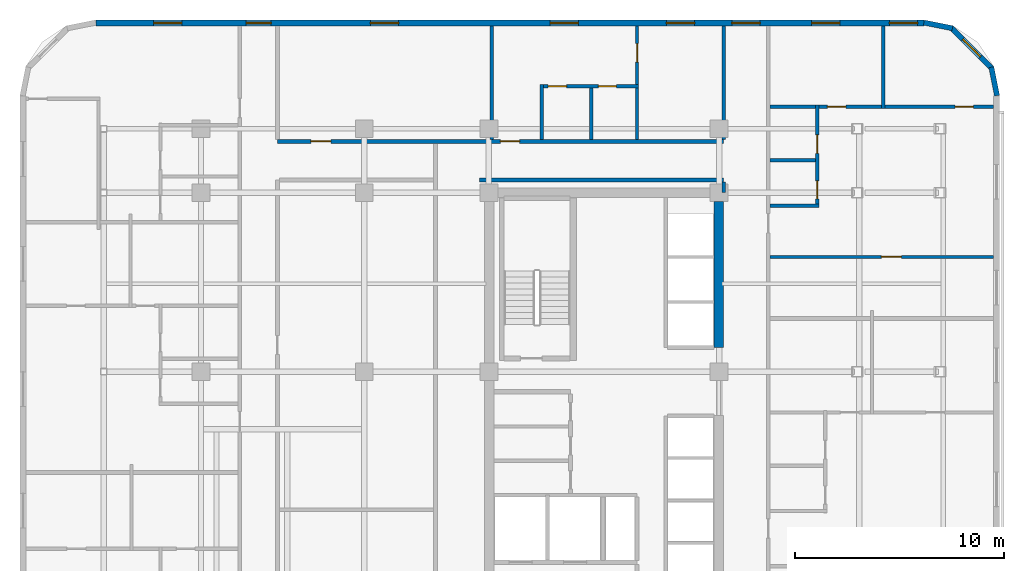
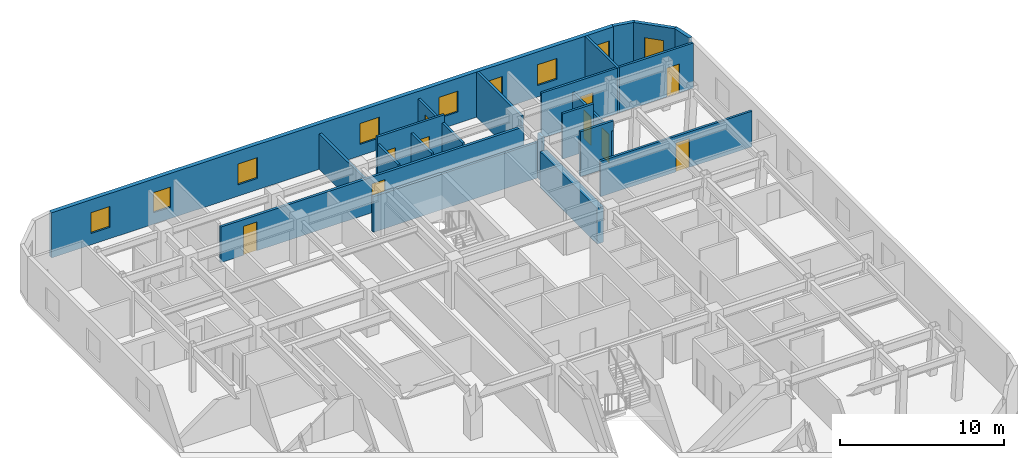
# One storey, part 10 of 14: 20 walls, 10 doors, 9 windows, 19 openings.
"""IFC4 building model written with IfcOpenShell, lengths in metres."""

import ifcopenshell
import ifcopenshell.guid

model = None  # the IFC model being written
_history = None  # IfcOwnerHistory: only IFC2X3 demands one
_inside = {}  # id of a spatial element -> (the spatial element, [elements in it])
_under = {}  # id of a project, library or spatial element -> (it, [spatial elements below it])
_declared = {}  # id of a project -> (the project, [libraries it declares])
_typed = {}  # id of a type object -> (the type object, [elements of that type])
_made_of = {}  # id of a material, layer set ... -> (it, [elements and type objects made of it])


def new_model(schema):
    """Start an empty IFC model of exactly this schema.

    Asked for "IFC4X3", IfcOpenShell would pick the latest addendum, in which some entities
    have other attributes; the version numbers below select the first issue.
    IFC2X3 requires an IfcOwnerHistory on every rooted entity: one is made here for all.
    """
    global model, _history
    if schema == "IFC4X3":
        model = ifcopenshell.file(schema_version=(4, 3, 0, 0))
    else:
        model = ifcopenshell.file(schema=schema)
    _inside.clear()
    _under.clear()
    _declared.clear()
    _typed.clear()
    _made_of.clear()
    _history = None
    if model.schema == "IFC2X3":
        org = make("IfcOrganization", Name="unknown")
        user = make(
            "IfcPersonAndOrganization",
            ThePerson=make("IfcPerson", FamilyName="unknown"),
            TheOrganization=org,
        )
        app = make(
            "IfcApplication",
            ApplicationDeveloper=org,
            Version="unknown",
            ApplicationFullName="unknown",
            ApplicationIdentifier="unknown",
        )
        _history = make(
            "IfcOwnerHistory",
            OwningUser=user,
            OwningApplication=app,
            ChangeAction="ADDED",
            CreationDate=0,
        )
    return model


def make(cls, **values):
    """One entity of the class cls with the attributes given. An attribute that is None is left unset."""
    return model.create_entity(
        cls, **{name: value for name, value in values.items() if value is not None}
    )


def rooted(cls, **values):
    """An entity with a GlobalId (a new one), such as an element, a storey or a relation."""
    return make(cls, GlobalId=ifcopenshell.guid.new(), OwnerHistory=_history, **values)


def si_unit(unit_type, name, prefix=None):
    """IfcSIUnit, for example si_unit("LENGTHUNIT", "METRE", prefix="MILLI")."""
    return make("IfcSIUnit", UnitType=unit_type, Prefix=prefix, Name=name)


def assignment(units):
    """IfcUnitAssignment: the units of a project."""
    return None if units is None else make("IfcUnitAssignment", Units=units)


def point(xyz):
    """IfcCartesianPoint."""
    return None if xyz is None else make("IfcCartesianPoint", Coordinates=xyz)


def direction(xyz):
    """IfcDirection."""
    return None if xyz is None else make("IfcDirection", DirectionRatios=xyz)


def frame(location, z_axis=None, x_axis=None):
    """IfcAxis2Placement3D, a coordinate frame: its origin and axes. An axis left out is left unset."""
    return make(
        "IfcAxis2Placement3D",
        Location=point(location),
        Axis=direction(z_axis),
        RefDirection=direction(x_axis),
    )


def frame_2d(location, x_axis=None):
    """IfcAxis2Placement2D, a coordinate frame in the plane: its origin and x axis."""
    return make(
        "IfcAxis2Placement2D", Location=point(location), RefDirection=direction(x_axis)
    )


def origin():
    """The frame at (0, 0, 0) with its axes left unset."""
    return frame((0.0, 0.0, 0.0))


def place(relative_to, where):
    """IfcLocalPlacement: puts the frame where relative to a parent placement (None: the world)."""
    return make(
        "IfcLocalPlacement", PlacementRelTo=relative_to, RelativePlacement=where
    )


def context(
    kind, dimensions, precision=None, world=None, true_north=None, identifier=None
):
    """IfcGeometricRepresentationContext, for example the 3D "Model" context."""
    return make(
        "IfcGeometricRepresentationContext",
        ContextIdentifier=identifier,
        ContextType=kind,
        CoordinateSpaceDimension=dimensions,
        Precision=precision,
        WorldCoordinateSystem=world,
        TrueNorth=true_north,
    )


def subcontext(parent, identifier, kind, view, scale=None):
    """IfcGeometricRepresentationSubContext, for example "Body" below "Model"."""
    return make(
        "IfcGeometricRepresentationSubContext",
        ContextIdentifier=identifier,
        ContextType=kind,
        ParentContext=parent,
        TargetScale=scale,
        TargetView=view,
    )


def project(units=None, contexts=None):
    """IfcProject with its units and contexts."""
    return rooted(
        "IfcProject",
        Name="project",
        RepresentationContexts=contexts,
        UnitsInContext=assignment(units),
    )


def spatial(cls, under=None, at=None, **own):
    """A site, building, storey or space (cls), placed at a placement, below another one or the project."""
    s = rooted(cls, ObjectPlacement=at, **own)
    if under is not None:
        _under.setdefault(under.id(), (under, []))[1].append(s)
    return s


def profile(cls, at=None, kind="AREA", **sizes):
    """A parametric profile (cls). Its sizes go by their IFC names, for example OverallWidth=200.0."""
    return make(cls, ProfileType=kind, Position=at, **sizes)


def rectangle(**sizes):
    """IfcRectangleProfileDef."""
    return profile("IfcRectangleProfileDef", **sizes)


def extrude(swept, where, along, depth):
    """IfcExtrudedAreaSolid: the profile swept, set in the frame where, extruded along a direction by depth."""
    return make(
        "IfcExtrudedAreaSolid",
        SweptArea=swept,
        Position=where,
        ExtrudedDirection=direction(along),
        Depth=depth,
    )


def shape(context_of_items, identifier, shape_type, items):
    """IfcShapeRepresentation: the items that make up one representation, for example the "Body"."""
    return make(
        "IfcShapeRepresentation",
        ContextOfItems=context_of_items,
        RepresentationIdentifier=identifier,
        RepresentationType=shape_type,
        Items=items,
    )


def material(Name=None, Category=None):
    """IfcMaterial."""
    return make("IfcMaterial", Name=Name, Category=Category)


def layer(
    of_material, thickness, ventilated=None, Name=None, Category=None, Priority=None
):
    """IfcMaterialLayer: one layer of a wall or slab, of a material (None: an air gap)."""
    return make(
        "IfcMaterialLayer",
        Material=of_material,
        LayerThickness=thickness,
        IsVentilated=ventilated,
        Name=Name,
        Category=Category,
        Priority=Priority,
    )


def layer_set(layers, Name=None):
    """IfcMaterialLayerSet."""
    return make("IfcMaterialLayerSet", MaterialLayers=layers, LayerSetName=Name)


def made_of(thing, what):
    """Note that an element or type object is made of a material, layer set ...; save() writes the relation."""
    if what is not None:
        _made_of.setdefault(what.id(), (what, []))[1].append(thing)
    return thing


def type_object(cls, material=None, **own):
    """A type object (cls), such as IfcWallType, which elements share."""
    return made_of(rooted(cls, **own), material)


def element(
    cls,
    number,
    at=None,
    inside=None,
    cuts=None,
    type_object=None,
    material=None,
    context=None,
    identifier="Body",
    shape_type=None,
    held_by="IfcProductDefinitionShape",
    body=None,
    shapes=None,
    **own,
):
    """One element of the class cls, such as IfcWall. Its Tag is "e" and its number.

    at: its placement. inside: the storey or other place that contains it. cuts: it is an
    opening in that element (IfcRelVoidsElement). A single representation is given by context,
    identifier, shape_type and body (its items); several are given by shapes. held_by: the class
    of the entity that holds the representations. save() writes the other relations.
    """
    e = rooted(cls, Tag="e%d" % number, ObjectPlacement=at, **own)
    if body is not None:
        shapes = [shape(context, identifier, shape_type, body)]
    if shapes is not None:
        e.Representation = make(held_by, Representations=shapes)
    if inside is not None:
        _inside.setdefault(inside.id(), (inside, []))[1].append(e)
    if cuts is not None:
        rooted(
            "IfcRelVoidsElement", RelatingBuildingElement=cuts, RelatedOpeningElement=e
        )
    if type_object is not None:
        _typed.setdefault(type_object.id(), (type_object, []))[1].append(e)
    return made_of(e, material)


def fill(opening, filler):
    """IfcRelFillsElement: the door or window that sits in an opening."""
    return rooted(
        "IfcRelFillsElement",
        RelatingOpeningElement=opening,
        RelatedBuildingElement=filler,
    )


def aggregate(whole, parts):
    """IfcRelAggregates: a whole, such as a stair, and the parts it consists of."""
    return rooted("IfcRelAggregates", RelatingObject=whole, RelatedObjects=parts)


def save(model, path):
    """Write the relations noted so far, then the file.

    IfcRelAggregates (storeys below a building ...), IfcRelContainedInSpatialStructure (elements
    in a storey), IfcRelDefinesByType, IfcRelAssociatesMaterial and IfcRelDeclares: one each for
    every whole, place, type object, material and project.
    """
    for whole, parts in _under.values():
        aggregate(whole, parts)
    for where, things in _inside.values():
        rooted(
            "IfcRelContainedInSpatialStructure",
            RelatedElements=things,
            RelatingStructure=where,
        )
    for kind, things in _typed.values():
        rooted("IfcRelDefinesByType", RelatedObjects=things, RelatingType=kind)
    for what, things in _made_of.values():
        rooted("IfcRelAssociatesMaterial", RelatedObjects=things, RelatingMaterial=what)
    for by, libraries in _declared.values():
        rooted("IfcRelDeclares", RelatingContext=by, RelatedDefinitions=libraries)
    model.write(path)


model = new_model("IFC4")

# Units and contexts
model_context = context("Model", 3, precision=1e-05, world=origin(), true_north=direction((0.0, 1.0)))
body_context = subcontext(model_context, "Body", "Model", "MODEL_VIEW")
ifc_project = project(units=[si_unit("LENGTHUNIT", "METRE"), si_unit("AREAUNIT", "SQUARE_METRE"), si_unit("VOLUMEUNIT", "CUBIC_METRE"), si_unit("PLANEANGLEUNIT", "RADIAN"), si_unit("MASSUNIT", "GRAM", prefix="KILO")], contexts=[model_context])

# Site, building, storey
site_placement = place(None, origin())
site = spatial("IfcSite", under=ifc_project, at=site_placement, CompositionType="ELEMENT")
building_placement = place(site_placement, origin())
building = spatial("IfcBuilding", under=site, at=building_placement, Name="Ochreholt Gables", CompositionType="ELEMENT")
storey_placement = place(building_placement, frame((0.0, 0.0, 52.800048828125)))
storey = spatial("IfcBuildingStorey", under=building, at=storey_placement, Name="L13", CompositionType="ELEMENT", Elevation=52.800048828125)

# Wall
ifc_material_1 = material(Name="Concrete 60 MPa", Category="concrete")
ifc_layer_1 = layer(ifc_material_1, 0.449951171875, Name="Concrete 60 MPa")
ifc_layer_set_1 = layer_set([ifc_layer_1], Name="Concrete 60 MPa")
wall_type_1 = type_object("IfcWallType", Name="WALL-CSW-450", PredefinedType="SHEAR", material=ifc_layer_set_1)
wall_1_placement = place(storey_placement, frame((35.175048828125, 31.35009765625, 0.0), z_axis=(0.0, 0.0, 1.0), x_axis=(0.0, 1.0, 0.0)))
element("IfcWall", 1, at=wall_1_placement, inside=storey, type_object=wall_type_1, Name="L13 Core North-East Shear Wall", PredefinedType="SHEAR", context=body_context, shape_type="SweptSolid", body=[
    extrude(rectangle(XDim=6.974853515625, YDim=0.449951171875, at=frame_2d((3.4873046875, 0.0))), origin(), (0.0, 0.0, 1.0), 2.6669921875),
])

# Wall, openings, windows
ifc_material_2 = material(Name="Precast concrete 40 MPa", Category="concrete")
ifc_layer_2 = layer(ifc_material_2, 0.2900390625, Name="Precast concrete 40 MPa")
ifc_layer_set_2 = layer_set([ifc_layer_2], Name="Precast concrete 40 MPa")
wall_type_2 = type_object("IfcWallType", Name="WALL-EXT-290", PredefinedType="SOLIDWALL", material=ifc_layer_set_2)
wall_2_placement = place(storey_placement, frame((44.97998046875, 46.85498046875, 0.0), z_axis=(0.0, 0.0, 1.0), x_axis=(-1.0, 0.0, 0.0)))
wall_2 = element("IfcWall", 2, at=wall_2_placement, inside=storey, type_object=wall_type_2, Name="L13 North Exterior Wall", PredefinedType="SOLIDWALL", context=body_context, shape_type="SweptSolid", body=[
    extrude(rectangle(XDim=39.56005859375, YDim=0.2900390625, at=frame_2d((19.780029296875, 0.0))), origin(), (0.0, 0.0, 1.0), 3.35986328125),
])
opening_1_placement = place(wall_2_placement, frame((35.445068359375, 0.0, 0.85009765625)))
opening_1 = element("IfcOpeningElement", 3, at=opening_1_placement, cuts=wall_2, Name="Opening WN-8", PredefinedType="OPENING", context=body_context, shape_type="SweptSolid", body=[
    extrude(rectangle(XDim=1.35009765625, YDim=1.550048828125, at=frame_2d((0.675048828125, 0.77490234375))), frame((0.0, 0.155029296875, 0.0), z_axis=(0.0, -1.0, 0.0), x_axis=(1.0, 0.0, 0.0)), (0.0, 0.0, 1.0), 0.31005859375),
])
opening_2_placement = place(wall_2_placement, frame((31.179931640625, 0.0, 0.85009765625)))
opening_2 = element("IfcOpeningElement", 4, at=opening_2_placement, cuts=wall_2, Name="Opening WN-3", PredefinedType="OPENING", context=body_context, shape_type="SweptSolid", body=[
    extrude(rectangle(XDim=1.199951171875, YDim=1.5, at=frame_2d((0.60009765625, 0.75))), frame((0.0, 0.155029296875, 0.0), z_axis=(0.0, -1.0, 0.0), x_axis=(1.0, 0.0, 0.0)), (0.0, 0.0, 1.0), 0.31005859375),
])
opening_3_placement = place(wall_2_placement, frame((25.088134765625, 0.0, 0.85009765625)))
opening_3 = element("IfcOpeningElement", 5, at=opening_3_placement, cuts=wall_2, Name="Opening WN-8", PredefinedType="OPENING", context=body_context, shape_type="SweptSolid", body=[
    extrude(rectangle(XDim=1.35009765625, YDim=1.550048828125, at=frame_2d((0.675048828125, 0.77490234375))), frame((0.0, 0.155029296875, 0.0), z_axis=(0.0, -1.0, 0.0), x_axis=(1.0, 0.0, 0.0)), (0.0, 0.0, 1.0), 0.31005859375),
])
opening_4_placement = place(wall_2_placement, frame((16.498291015625, 0.0, 0.85009765625)))
opening_4 = element("IfcOpeningElement", 6, at=opening_4_placement, cuts=wall_2, Name="Opening WN-8", PredefinedType="OPENING", context=body_context, shape_type="SweptSolid", body=[
    extrude(rectangle(XDim=1.35009765625, YDim=1.550048828125, at=frame_2d((0.675048828125, 0.77490234375))), frame((0.0, 0.155029296875, 0.0), z_axis=(0.0, -1.0, 0.0), x_axis=(1.0, 0.0, 0.0)), (0.0, 0.0, 1.0), 0.31005859375),
])
opening_5_placement = place(wall_2_placement, frame((10.955078125, 0.0, 0.85009765625)))
opening_5 = element("IfcOpeningElement", 7, at=opening_5_placement, cuts=wall_2, Name="Opening WN-8", PredefinedType="OPENING", context=body_context, shape_type="SweptSolid", body=[
    extrude(rectangle(XDim=1.35009765625, YDim=1.550048828125, at=frame_2d((0.675048828125, 0.77490234375))), frame((0.0, 0.155029296875, 0.0), z_axis=(0.0, -1.0, 0.0), x_axis=(1.0, 0.0, 0.0)), (0.0, 0.0, 1.0), 0.31005859375),
])
opening_6_placement = place(wall_2_placement, frame((7.820068359375, 0.0, 0.85009765625)))
opening_6 = element("IfcOpeningElement", 8, at=opening_6_placement, cuts=wall_2, Name="Opening WN-8", PredefinedType="OPENING", context=body_context, shape_type="SweptSolid", body=[
    extrude(rectangle(XDim=1.35009765625, YDim=1.550048828125, at=frame_2d((0.675048828125, 0.77490234375))), frame((0.0, 0.155029296875, 0.0), z_axis=(0.0, -1.0, 0.0), x_axis=(1.0, 0.0, 0.0)), (0.0, 0.0, 1.0), 0.31005859375),
])
opening_7_placement = place(wall_2_placement, frame((4.007568359375, 0.0, 0.85009765625)))
opening_7 = element("IfcOpeningElement", 9, at=opening_7_placement, cuts=wall_2, Name="Opening WN-8", PredefinedType="OPENING", context=body_context, shape_type="SweptSolid", body=[
    extrude(rectangle(XDim=1.35009765625, YDim=1.550048828125, at=frame_2d((0.675048828125, 0.77490234375))), frame((0.0, 0.155029296875, 0.0), z_axis=(0.0, -1.0, 0.0), x_axis=(1.0, 0.0, 0.0)), (0.0, 0.0, 1.0), 0.31005859375),
])
opening_8_placement = place(wall_2_placement, frame((0.29248046875, 0.0, 0.85009765625)))
opening_8 = element("IfcOpeningElement", 10, at=opening_8_placement, cuts=wall_2, Name="Opening WN-8", PredefinedType="OPENING", context=body_context, shape_type="SweptSolid", body=[
    extrude(rectangle(XDim=1.35009765625, YDim=1.550048828125, at=frame_2d((0.675048828125, 0.77490234375))), frame((0.0, 0.155029296875, 0.0), z_axis=(0.0, -1.0, 0.0), x_axis=(1.0, 0.0, 0.0)), (0.0, 0.0, 1.0), 0.31005859375),
])
ifc_material_3 = material(Name="Triple-Glazed Thermally Broken Aluminium Window", Category="aluminium")
window_type_1 = type_object("IfcWindowType", Name="WIN-RES-1200", PartitioningType="SINGLE_PANEL", PredefinedType="WINDOW", material=ifc_material_3)
window_1_placement = place(opening_2_placement, origin())
window_1 = element("IfcWindow", 11, at=window_1_placement, inside=storey, type_object=window_type_1, Name="L13 Window W-EXT-N-L13-2", OverallHeight=1.5, OverallWidth=1.199951171875, PartitioningType="SINGLE_PANEL", PredefinedType="WINDOW", context=body_context, shape_type="SweptSolid", body=[
    extrude(rectangle(XDim=1.199951171875, YDim=1.5, at=frame_2d((0.60009765625, 0.75))), frame((0.0, 0.030029296875, 0.0), z_axis=(0.0, -1.0, 0.0), x_axis=(1.0, 0.0, 0.0)), (0.0, 0.0, 1.0), 0.06005859375),
])
fill(opening_2, window_1)
window_type_2 = type_object("IfcWindowType", Name="WIN-RES-1350", PartitioningType="SINGLE_PANEL", PredefinedType="WINDOW", material=ifc_material_3)
window_2_placement = place(opening_1_placement, origin())
window_2 = element("IfcWindow", 12, at=window_2_placement, inside=storey, type_object=window_type_2, Name="L13 Window W-EXT-N-L13-1", OverallHeight=1.550048828125, OverallWidth=1.35009765625, PartitioningType="SINGLE_PANEL", PredefinedType="WINDOW", context=body_context, shape_type="SweptSolid", body=[
    extrude(rectangle(XDim=1.35009765625, YDim=1.550048828125, at=frame_2d((0.675048828125, 0.77490234375))), frame((0.0, 0.030029296875, 0.0), z_axis=(0.0, -1.0, 0.0), x_axis=(1.0, 0.0, 0.0)), (0.0, 0.0, 1.0), 0.06005859375),
])
fill(opening_1, window_2)
window_3_placement = place(opening_3_placement, origin())
window_3 = element("IfcWindow", 13, at=window_3_placement, inside=storey, type_object=window_type_2, Name="L13 Window W-EXT-N-L13-3", OverallHeight=1.550048828125, OverallWidth=1.35009765625, PartitioningType="SINGLE_PANEL", PredefinedType="WINDOW", context=body_context, shape_type="SweptSolid", body=[
    extrude(rectangle(XDim=1.35009765625, YDim=1.550048828125, at=frame_2d((0.675048828125, 0.77490234375))), frame((0.0, 0.030029296875, 0.0), z_axis=(0.0, -1.0, 0.0), x_axis=(1.0, 0.0, 0.0)), (0.0, 0.0, 1.0), 0.06005859375),
])
fill(opening_3, window_3)
window_4_placement = place(opening_4_placement, origin())
window_4 = element("IfcWindow", 14, at=window_4_placement, inside=storey, type_object=window_type_2, Name="L13 Window W-EXT-N-L13-4", OverallHeight=1.550048828125, OverallWidth=1.35009765625, PartitioningType="SINGLE_PANEL", PredefinedType="WINDOW", context=body_context, shape_type="SweptSolid", body=[
    extrude(rectangle(XDim=1.35009765625, YDim=1.550048828125, at=frame_2d((0.675048828125, 0.77490234375))), frame((0.0, 0.030029296875, 0.0), z_axis=(0.0, -1.0, 0.0), x_axis=(1.0, 0.0, 0.0)), (0.0, 0.0, 1.0), 0.06005859375),
])
fill(opening_4, window_4)
window_5_placement = place(opening_5_placement, origin())
window_5 = element("IfcWindow", 15, at=window_5_placement, inside=storey, type_object=window_type_2, Name="L13 Window W-EXT-N-L13-5", OverallHeight=1.550048828125, OverallWidth=1.35009765625, PartitioningType="SINGLE_PANEL", PredefinedType="WINDOW", context=body_context, shape_type="SweptSolid", body=[
    extrude(rectangle(XDim=1.35009765625, YDim=1.550048828125, at=frame_2d((0.675048828125, 0.77490234375))), frame((0.0, 0.030029296875, 0.0), z_axis=(0.0, -1.0, 0.0), x_axis=(1.0, 0.0, 0.0)), (0.0, 0.0, 1.0), 0.06005859375),
])
fill(opening_5, window_5)
window_6_placement = place(opening_6_placement, origin())
window_6 = element("IfcWindow", 16, at=window_6_placement, inside=storey, type_object=window_type_2, Name="L13 Window W-EXT-N-L13-6", OverallHeight=1.550048828125, OverallWidth=1.35009765625, PartitioningType="SINGLE_PANEL", PredefinedType="WINDOW", context=body_context, shape_type="SweptSolid", body=[
    extrude(rectangle(XDim=1.35009765625, YDim=1.550048828125, at=frame_2d((0.675048828125, 0.77490234375))), frame((0.0, 0.030029296875, 0.0), z_axis=(0.0, -1.0, 0.0), x_axis=(1.0, 0.0, 0.0)), (0.0, 0.0, 1.0), 0.06005859375),
])
fill(opening_6, window_6)
window_7_placement = place(opening_7_placement, origin())
window_7 = element("IfcWindow", 17, at=window_7_placement, inside=storey, type_object=window_type_2, Name="L13 Window W-EXT-N-L13-7", OverallHeight=1.550048828125, OverallWidth=1.35009765625, PartitioningType="SINGLE_PANEL", PredefinedType="WINDOW", context=body_context, shape_type="SweptSolid", body=[
    extrude(rectangle(XDim=1.35009765625, YDim=1.550048828125, at=frame_2d((0.675048828125, 0.77490234375))), frame((0.0, 0.030029296875, 0.0), z_axis=(0.0, -1.0, 0.0), x_axis=(1.0, 0.0, 0.0)), (0.0, 0.0, 1.0), 0.06005859375),
])
fill(opening_7, window_7)
window_8_placement = place(opening_8_placement, origin())
window_8 = element("IfcWindow", 18, at=window_8_placement, inside=storey, type_object=window_type_2, Name="L13 Window W-EXT-N-L13-8", OverallHeight=1.550048828125, OverallWidth=1.35009765625, PartitioningType="SINGLE_PANEL", PredefinedType="WINDOW", context=body_context, shape_type="SweptSolid", body=[
    extrude(rectangle(XDim=1.35009765625, YDim=1.550048828125, at=frame_2d((0.675048828125, 0.77490234375))), frame((0.0, 0.030029296875, 0.0), z_axis=(0.0, -1.0, 0.0), x_axis=(1.0, 0.0, 0.0)), (0.0, 0.0, 1.0), 0.06005859375),
])
fill(opening_8, window_8)

# Wall
ifc_layer_3 = layer(ifc_material_2, 0.25, Name="Precast concrete 40 MPa")
ifc_layer_set_3 = layer_set([ifc_layer_3], Name="Precast concrete 40 MPa")
wall_type_3 = type_object("IfcWallType", Name="WALL-EXT-CNR", PredefinedType="SOLIDWALL", material=ifc_layer_set_3)
wall_3_placement = place(storey_placement, frame((48.475830078125, 43.383544921875, 0.0), z_axis=(0.0, 0.0, 1.0), x_axis=(-0.19496651342, 0.980809899341, 0.0)))
element("IfcWall", 19, at=wall_3_placement, inside=storey, type_object=wall_type_3, Name="L13 Rounded Corner Wall NE-1", PredefinedType="SOLIDWALL", context=body_context, shape_type="SweptSolid", body=[
    extrude(rectangle(XDim=1.388671875, YDim=0.25, at=frame_2d((0.6943359375, 0.0))), origin(), (0.0, 0.0, 1.0), 3.35986328125),
])

# Wall, opening, window
wall_4_placement = place(storey_placement, frame((48.23193359375, 44.695068359375, 0.0), z_axis=(0.0, 0.0, 1.0), x_axis=(-0.707106781187, 0.707106781187, 0.0)))
wall_4 = element("IfcWall", 20, at=wall_4_placement, inside=storey, type_object=wall_type_3, Name="L13 Rounded Corner Wall NE-2", PredefinedType="SOLIDWALL", context=body_context, shape_type="SweptSolid", body=[
    extrude(rectangle(XDim=2.7392578125, YDim=0.25, at=frame_2d((1.36962890625, 0.0))), origin(), (0.0, 0.0, 1.0), 3.35986328125),
])
opening_9_placement = place(wall_4_placement, frame((0.769775390625, 0.0, 0.85009765625)))
opening_9 = element("IfcOpeningElement", 21, at=opening_9_placement, cuts=wall_4, Name="Opening WN-3", PredefinedType="OPENING", context=body_context, shape_type="SweptSolid", body=[
    extrude(rectangle(XDim=1.199951171875, YDim=1.5, at=frame_2d((0.60009765625, 0.75))), frame((0.0, 0.135009765625, 0.0), z_axis=(0.0, -1.0, 0.0), x_axis=(1.0, 0.0, 0.0)), (0.0, 0.0, 1.0), 0.27001953125),
])
window_9_placement = place(opening_9_placement, origin())
window_9 = element("IfcWindow", 22, at=window_9_placement, inside=storey, type_object=window_type_1, Name="L13 Corner Bedroom Window NE", OverallHeight=1.5, OverallWidth=1.199951171875, PartitioningType="SINGLE_PANEL", PredefinedType="WINDOW", context=body_context, shape_type="SweptSolid", body=[
    extrude(rectangle(XDim=1.199951171875, YDim=1.5, at=frame_2d((0.60009765625, 0.75))), frame((0.0, 0.030029296875, 0.0), z_axis=(0.0, -1.0, 0.0), x_axis=(1.0, 0.0, 0.0)), (0.0, 0.0, 1.0), 0.06005859375),
])
fill(opening_9, window_9)

# Wall
wall_5_placement = place(storey_placement, frame((46.345458984375, 46.60498046875, 0.0), z_axis=(0.0, 0.0, 1.0), x_axis=(-0.980809899341, 0.19496651342, 0.0)))
element("IfcWall", 23, at=wall_5_placement, inside=storey, type_object=wall_type_3, Name="L13 Rounded Corner Wall NE-3", PredefinedType="SOLIDWALL", context=body_context, shape_type="SweptSolid", body=[
    extrude(rectangle(XDim=1.388671875, YDim=0.25, at=frame_2d((0.6943359375, 0.0))), origin(), (0.0, 0.0, 1.0), 3.35986328125),
])

# Wall, openings, doors
ifc_material_4 = material(Name="Fire-Rated Gypsum Acoustic Partition", Category="gypsum")
ifc_layer_4 = layer(ifc_material_4, 0.179931640625, Name="Fire-Rated Gypsum Acoustic Partition")
ifc_layer_set_4 = layer_set([ifc_layer_4], Name="Fire-Rated Gypsum Acoustic Partition")
wall_type_4 = type_object("IfcWallType", Name="WALL-INT-CR180", PredefinedType="STANDARD", material=ifc_layer_set_4)
wall_6_placement = place(storey_placement, frame((14.10009765625, 41.199951171875, 0.0), z_axis=(0.0, 0.0, 1.0), x_axis=(1.0, 0.0, 0.0)))
wall_6 = element("IfcWall", 24, at=wall_6_placement, inside=storey, type_object=wall_type_4, Name="L13 Interior Wall WI-C1N-L13", PredefinedType="STANDARD", context=body_context, shape_type="SweptSolid", body=[
    extrude(rectangle(XDim=21.31982421875, YDim=0.179931640625, at=frame_2d((10.659912109375, 0.0))), origin(), (0.0, 0.0, 1.0), 2.64892578125),
])
opening_10_placement = place(wall_6_placement, frame((1.60009765625, 0.0, 0.0)))
opening_10 = element("IfcOpeningElement", 25, at=opening_10_placement, cuts=wall_6, Name="Opening D-GN1", PredefinedType="OPENING", context=body_context, shape_type="SweptSolid", body=[
    extrude(rectangle(XDim=0.949951171875, YDim=2.14990234375, at=frame_2d((0.47509765625, 1.074951171875))), frame((0.0, 0.099853515625, 0.0), z_axis=(0.0, -1.0, 0.0), x_axis=(1.0, 0.0, 0.0)), (0.0, 0.0, 1.0), 0.199951171875),
])
opening_11_placement = place(wall_6_placement, frame((10.6435546875, 0.0, 0.0)))
opening_11 = element("IfcOpeningElement", 26, at=opening_11_placement, cuts=wall_6, Name="Opening D-UN1", PredefinedType="OPENING", context=body_context, shape_type="SweptSolid", body=[
    extrude(rectangle(XDim=0.919921875, YDim=2.14990234375, at=frame_2d((0.4599609375, 1.074951171875))), frame((0.0, 0.099853515625, 0.0), z_axis=(0.0, -1.0, 0.0), x_axis=(1.0, 0.0, 0.0)), (0.0, 0.0, 1.0), 0.199951171875),
])
ifc_material_5 = material(Name="Engineered Oak Timber", Category="wood")
door_type_1 = type_object("IfcDoorType", Name="DR-INT-GEN950", OperationType="NOTDEFINED", PredefinedType="DOOR", material=ifc_material_5)
door_1_placement = place(opening_10_placement, origin())
door_1 = element("IfcDoor", 27, at=door_1_placement, inside=storey, type_object=door_type_1, Name="L13 Door D-C1NL-L13", OperationType="SINGLE_SWING_RIGHT", OverallHeight=2.14990234375, OverallWidth=0.949951171875, PredefinedType="DOOR", context=body_context, shape_type="SweptSolid", body=[
    extrude(rectangle(XDim=0.949951171875, YDim=2.14990234375, at=frame_2d((0.47509765625, 1.074951171875))), frame((0.0, 0.02490234375, 0.0), z_axis=(0.0, -1.0, 0.0), x_axis=(1.0, 0.0, 0.0)), (0.0, 0.0, 1.0), 0.050048828125),
])
fill(opening_10, door_1)
door_type_2 = type_object("IfcDoorType", Name="DR-INT-UNT920", OperationType="NOTDEFINED", PredefinedType="DOOR", material=ifc_material_5)
door_2_placement = place(opening_11_placement, origin())
door_2 = element("IfcDoor", 28, at=door_2_placement, inside=storey, type_object=door_type_2, Name="L13 Door D-U-L13N1-ENT", OperationType="SINGLE_SWING_RIGHT", OverallHeight=2.14990234375, OverallWidth=0.919921875, PredefinedType="DOOR", context=body_context, shape_type="SweptSolid", body=[
    extrude(rectangle(XDim=0.919921875, YDim=2.14990234375, at=frame_2d((0.4599609375, 1.074951171875))), frame((0.0, 0.02490234375, 0.0), z_axis=(0.0, -1.0, 0.0), x_axis=(1.0, 0.0, 0.0)), (0.0, 0.0, 1.0), 0.050048828125),
])
fill(opening_11, door_2)

# Walls
wall_7_placement = place(storey_placement, frame((23.75, 39.35009765625, 0.0), z_axis=(0.0, 0.0, 1.0), x_axis=(1.0, 0.0, 0.0)))
element("IfcWall", 29, at=wall_7_placement, inside=storey, type_object=wall_type_4, Name="L13 Interior Wall WI-C1N2-L13", PredefinedType="STANDARD", context=body_context, shape_type="SweptSolid", body=[
    extrude(rectangle(XDim=11.669921875, YDim=0.179931640625, at=frame_2d((5.8349609375, 0.0))), origin(), (0.0, 0.0, 1.0), 2.64892578125),
])
wall_8_placement = place(storey_placement, frame((35.419921875, 38.75, 0.0), z_axis=(0.0, 0.0, 1.0), x_axis=(0.0, 1.0, 0.0)))
element("IfcWall", 30, at=wall_8_placement, inside=storey, type_object=wall_type_4, Name="L13 Interior Wall WI-C1ENW2-L13", PredefinedType="STANDARD", context=body_context, shape_type="SweptSolid", body=[
    extrude(rectangle(XDim=0.510009765625, YDim=0.179931640625, at=frame_2d((0.2548828125, 0.0))), origin(), (0.0, 0.0, 1.0), 3.35986328125),
])
ifc_material_6 = material(Name="Double-Stud Acoustic Demising Wall", Category="gypsum")
ifc_layer_5 = layer(ifc_material_6, 0.179931640625, Name="Double-Stud Acoustic Demising Wall")
ifc_layer_set_5 = layer_set([ifc_layer_5], Name="Double-Stud Acoustic Demising Wall")
wall_type_5 = type_object("IfcWallType", Name="WALL-INT-DM180", PredefinedType="PARTITIONING", material=ifc_layer_set_5)
wall_9_placement = place(storey_placement, frame((35.419921875, 41.2900390625, 0.0), z_axis=(0.0, 0.0, 1.0), x_axis=(0.0, 1.0, 0.0)))
element("IfcWall", 31, at=wall_9_placement, inside=storey, type_object=wall_type_5, Name="L13 Interior Wall WI-C1ENW-L13", PredefinedType="PARTITIONING", context=body_context, shape_type="SweptSolid", body=[
    extrude(rectangle(XDim=5.419921875, YDim=0.179931640625, at=frame_2d((2.7099609375, 0.0))), origin(), (0.0, 0.0, 1.0), 3.35986328125),
])
wall_10_placement = place(storey_placement, frame((24.33349609375, 41.2900390625, 0.0), z_axis=(0.0, 0.0, 1.0), x_axis=(0.0, 1.0, 0.0)))
element("IfcWall", 32, at=wall_10_placement, inside=storey, type_object=wall_type_5, Name="L13 Interior Wall WI-UDN1-L13", PredefinedType="PARTITIONING", context=body_context, shape_type="SweptSolid", body=[
    extrude(rectangle(XDim=5.419921875, YDim=0.179931640625, at=frame_2d((2.7099609375, 0.0))), origin(), (0.0, 0.0, 1.0), 2.64892578125),
])
ifc_material_7 = material(Name="Moisture-Resistant Plumbing Chase Wall", Category="gypsum")
ifc_layer_6 = layer(ifc_material_7, 0.159912109375, Name="Moisture-Resistant Plumbing Chase Wall")
ifc_layer_set_6 = layer_set([ifc_layer_6], Name="Moisture-Resistant Plumbing Chase Wall")
wall_type_6 = type_object("IfcWallType", Name="WALL-INT-PL160", PredefinedType="PLUMBINGWALL", material=ifc_layer_set_6)
wall_11_placement = place(storey_placement, frame((37.639892578125, 38.12451171875, 0.0), z_axis=(0.0, 0.0, 1.0), x_axis=(1.0, 0.0, 0.0)))
element("IfcWall", 33, at=wall_11_placement, inside=storey, type_object=wall_type_6, Name="L13 Interior Wall WU-L13E3-FYS", PredefinedType="PLUMBINGWALL", context=body_context, shape_type="SweptSolid", body=[
    extrude(rectangle(XDim=2.330078125, YDim=0.159912109375, at=frame_2d((1.1650390625, 0.0))), origin(), (0.0, 0.0, 1.0), 3.35986328125),
])

# Wall, openings, doors
wall_12_placement = place(storey_placement, frame((39.889892578125, 38.034423828125, 0.0), z_axis=(0.0, 0.0, 1.0), x_axis=(0.0, 1.0, 0.0)))
wall_12 = element("IfcWall", 34, at=wall_12_placement, inside=storey, type_object=wall_type_6, Name="L13 Interior Wall WU-L13E3-WX", PredefinedType="PLUMBINGWALL", context=body_context, shape_type="SweptSolid", body=[
    extrude(rectangle(XDim=4.91552734375, YDim=0.159912109375, at=frame_2d((2.457763671875, 0.0))), origin(), (0.0, 0.0, 1.0), 2.64892578125),
])
opening_12_placement = place(wall_12_placement, frame((0.419921875, 0.0, 0.0)))
opening_12 = element("IfcOpeningElement", 35, at=opening_12_placement, cuts=wall_12, Name="Opening D-BT1", PredefinedType="OPENING", context=body_context, shape_type="SweptSolid", body=[
    extrude(rectangle(XDim=0.860107421875, YDim=2.1201171875, at=frame_2d((0.43017578125, 1.06005859375))), frame((0.0, 0.08984375, 0.0), z_axis=(0.0, -1.0, 0.0), x_axis=(1.0, 0.0, 0.0)), (0.0, 0.0, 1.0), 0.179931640625),
])
opening_13_placement = place(wall_12_placement, frame((2.598388671875, 0.0, 0.0)))
opening_13 = element("IfcOpeningElement", 36, at=opening_13_placement, cuts=wall_12, Name="Opening D-GN2", PredefinedType="OPENING", context=body_context, shape_type="SweptSolid", body=[
    extrude(rectangle(XDim=0.8798828125, YDim=2.1201171875, at=frame_2d((0.43994140625, 1.06005859375))), frame((0.0, 0.08984375, 0.0), z_axis=(0.0, -1.0, 0.0), x_axis=(1.0, 0.0, 0.0)), (0.0, 0.0, 1.0), 0.179931640625),
])
door_type_3 = type_object("IfcDoorType", Name="DR-INT-BTH860", OperationType="NOTDEFINED", PredefinedType="DOOR", material=ifc_material_5)
door_3_placement = place(opening_12_placement, origin())
door_3 = element("IfcDoor", 37, at=door_3_placement, inside=storey, type_object=door_type_3, Name="L13 Door D-U-L13E3-BTH", OperationType="SINGLE_SWING_LEFT", OverallHeight=2.1201171875, OverallWidth=0.860107421875, PredefinedType="DOOR", context=body_context, shape_type="SweptSolid", body=[
    extrude(rectangle(XDim=0.860107421875, YDim=2.1201171875, at=frame_2d((0.43017578125, 1.06005859375))), frame((0.0, 0.02490234375, 0.0), z_axis=(0.0, -1.0, 0.0), x_axis=(1.0, 0.0, 0.0)), (0.0, 0.0, 1.0), 0.050048828125),
])
fill(opening_12, door_3)
door_type_4 = type_object("IfcDoorType", Name="DR-INT-GEN880", OperationType="NOTDEFINED", PredefinedType="DOOR", material=ifc_material_5)
door_4_placement = place(opening_13_placement, origin())
door_4 = element("IfcDoor", 38, at=door_4_placement, inside=storey, type_object=door_type_4, Name="L13 Door D-U-L13E3-KIT", OperationType="SINGLE_SWING_RIGHT", OverallHeight=2.1201171875, OverallWidth=0.8798828125, PredefinedType="DOOR", context=body_context, shape_type="SweptSolid", body=[
    extrude(rectangle(XDim=0.8798828125, YDim=2.1201171875, at=frame_2d((0.43994140625, 1.06005859375))), frame((0.0, 0.02490234375, 0.0), z_axis=(0.0, -1.0, 0.0), x_axis=(1.0, 0.0, 0.0)), (0.0, 0.0, 1.0), 0.050048828125),
])
fill(opening_13, door_4)

# Wall
wall_13_placement = place(storey_placement, frame((37.639892578125, 40.302734375, 0.0), z_axis=(0.0, 0.0, 1.0), x_axis=(1.0, 0.0, 0.0)))
element("IfcWall", 39, at=wall_13_placement, inside=storey, type_object=wall_type_6, Name="L13 Interior Wall WU-L13E3-WK", PredefinedType="PLUMBINGWALL", context=body_context, shape_type="SweptSolid", body=[
    extrude(rectangle(XDim=2.170166015625, YDim=0.159912109375, at=frame_2d((1.0849609375, 0.0))), origin(), (0.0, 0.0, 1.0), 3.35986328125),
])

# Wall, openings, doors
wall_14_placement = place(storey_placement, frame((26.64990234375, 43.8349609375, 0.0), z_axis=(0.0, 0.0, 1.0), x_axis=(1.0, 0.0, 0.0)))
wall_14 = element("IfcWall", 40, at=wall_14_placement, inside=storey, type_object=wall_type_6, Name="L13 Interior Wall WU-L13N1-WY", PredefinedType="PLUMBINGWALL", context=body_context, shape_type="SweptSolid", body=[
    extrude(rectangle(XDim=4.710205078125, YDim=0.159912109375, at=frame_2d((2.35498046875, 0.0))), origin(), (0.0, 0.0, 1.0), 3.35986328125),
])
opening_14_placement = place(wall_14_placement, frame((0.3798828125, 0.0, 0.0)))
opening_14 = element("IfcOpeningElement", 41, at=opening_14_placement, cuts=wall_14, Name="Opening D-GN2", PredefinedType="OPENING", context=body_context, shape_type="SweptSolid", body=[
    extrude(rectangle(XDim=0.8798828125, YDim=2.1201171875, at=frame_2d((0.43994140625, 1.06005859375))), frame((0.0, 0.08984375, 0.0), z_axis=(0.0, -1.0, 0.0), x_axis=(1.0, 0.0, 0.0)), (0.0, 0.0, 1.0), 0.179931640625),
])
opening_15_placement = place(wall_14_placement, frame((2.785888671875, 0.0, 0.0)))
opening_15 = element("IfcOpeningElement", 42, at=opening_15_placement, cuts=wall_14, Name="Opening D-BT1", PredefinedType="OPENING", context=body_context, shape_type="SweptSolid", body=[
    extrude(rectangle(XDim=0.860107421875, YDim=2.1201171875, at=frame_2d((0.43017578125, 1.06005859375))), frame((0.0, 0.08984375, 0.0), z_axis=(0.0, -1.0, 0.0), x_axis=(1.0, 0.0, 0.0)), (0.0, 0.0, 1.0), 0.179931640625),
])
door_5_placement = place(opening_15_placement, origin())
door_5 = element("IfcDoor", 43, at=door_5_placement, inside=storey, type_object=door_type_3, Name="L13 Door D-U-L13N1-BTH", OperationType="SINGLE_SWING_RIGHT", OverallHeight=2.1201171875, OverallWidth=0.860107421875, PredefinedType="DOOR", context=body_context, shape_type="SweptSolid", body=[
    extrude(rectangle(XDim=0.860107421875, YDim=2.1201171875, at=frame_2d((0.43017578125, 1.06005859375))), frame((0.0, 0.02490234375, 0.0), z_axis=(0.0, -1.0, 0.0), x_axis=(1.0, 0.0, 0.0)), (0.0, 0.0, 1.0), 0.050048828125),
])
fill(opening_15, door_5)
door_6_placement = place(opening_14_placement, origin())
door_6 = element("IfcDoor", 44, at=door_6_placement, inside=storey, type_object=door_type_4, Name="L13 Door D-U-L13N1-KIT", OperationType="SINGLE_SWING_LEFT", OverallHeight=2.1201171875, OverallWidth=0.8798828125, PredefinedType="DOOR", context=body_context, shape_type="SweptSolid", body=[
    extrude(rectangle(XDim=0.8798828125, YDim=2.1201171875, at=frame_2d((0.43994140625, 1.06005859375))), frame((0.0, 0.02490234375, 0.0), z_axis=(0.0, -1.0, 0.0), x_axis=(1.0, 0.0, 0.0)), (0.0, 0.0, 1.0), 0.050048828125),
])
fill(opening_14, door_6)

# Walls
wall_15_placement = place(storey_placement, frame((26.72998046875, 41.2900390625, 0.0), z_axis=(0.0, 0.0, 1.0), x_axis=(0.0, 1.0, 0.0)))
element("IfcWall", 45, at=wall_15_placement, inside=storey, type_object=wall_type_6, Name="L13 Interior Wall WU-L13N1-FY", PredefinedType="PLUMBINGWALL", context=body_context, shape_type="SweptSolid", body=[
    extrude(rectangle(XDim=2.625, YDim=0.159912109375, at=frame_2d((1.3125, 0.0))), origin(), (0.0, 0.0, 1.0), 2.808837890625),
])
wall_16_placement = place(storey_placement, frame((29.095947265625, 41.2900390625, 0.0), z_axis=(0.0, 0.0, 1.0), x_axis=(0.0, 1.0, 0.0)))
element("IfcWall", 46, at=wall_16_placement, inside=storey, type_object=wall_type_6, Name="L13 Interior Wall WU-L13N1-WK", PredefinedType="PLUMBINGWALL", context=body_context, shape_type="SweptSolid", body=[
    extrude(rectangle(XDim=2.46484375, YDim=0.159912109375, at=frame_2d((1.232421875, 0.0))), origin(), (0.0, 0.0, 1.0), 2.808837890625),
])

# Wall, openings, doors
ifc_material_8 = material(Name="Gypsum Acoustic Stud Partition", Category="gypsum")
ifc_layer_7 = layer(ifc_material_8, 0.159912109375, Name="Gypsum Acoustic Stud Partition")
ifc_layer_set_7 = layer_set([ifc_layer_7], Name="Gypsum Acoustic Stud Partition")
wall_type_7 = type_object("IfcWallType", Name="WALL-INT-PT160", PredefinedType="PARTITIONING", material=ifc_layer_set_7)
wall_17_placement = place(storey_placement, frame((37.639892578125, 42.860107421875, 0.0), z_axis=(0.0, 0.0, 1.0), x_axis=(1.0, 0.0, 0.0)))
wall_17 = element("IfcWall", 47, at=wall_17_placement, inside=storey, type_object=wall_type_7, Name="L13 Interior Wall WU-L13E3-MN", PredefinedType="PARTITIONING", context=body_context, shape_type="SweptSolid", body=[
    extrude(rectangle(XDim=10.670166015625, YDim=0.159912109375, at=frame_2d((5.3349609375, 0.0))), origin(), (0.0, 0.0, 1.0), 3.35986328125),
])
opening_16_placement = place(wall_17_placement, frame((2.732421875, 0.0, 0.0)))
opening_16 = element("IfcOpeningElement", 48, at=opening_16_placement, cuts=wall_17, Name="Opening D-BD2", PredefinedType="OPENING", context=body_context, shape_type="SweptSolid", body=[
    extrude(rectangle(XDim=0.8798828125, YDim=2.139892578125, at=frame_2d((0.43994140625, 1.06982421875))), frame((0.0, 0.08984375, 0.0), z_axis=(0.0, -1.0, 0.0), x_axis=(1.0, 0.0, 0.0)), (0.0, 0.0, 1.0), 0.179931640625),
])
opening_17_placement = place(wall_17_placement, frame((8.83251953125, 0.0, 0.0)))
opening_17 = element("IfcOpeningElement", 49, at=opening_17_placement, cuts=wall_17, Name="Opening D-BD2", PredefinedType="OPENING", context=body_context, shape_type="SweptSolid", body=[
    extrude(rectangle(XDim=0.8798828125, YDim=2.139892578125, at=frame_2d((0.43994140625, 1.06982421875))), frame((0.0, 0.08984375, 0.0), z_axis=(0.0, -1.0, 0.0), x_axis=(1.0, 0.0, 0.0)), (0.0, 0.0, 1.0), 0.179931640625),
])
door_type_5 = type_object("IfcDoorType", Name="DR-INT-BED880", OperationType="NOTDEFINED", PredefinedType="DOOR", material=ifc_material_5)
door_7_placement = place(opening_16_placement, origin())
door_7 = element("IfcDoor", 50, at=door_7_placement, inside=storey, type_object=door_type_5, Name="L13 Door D-U-L13E3-BD1", OperationType="SINGLE_SWING_RIGHT", OverallHeight=2.139892578125, OverallWidth=0.8798828125, PredefinedType="DOOR", context=body_context, shape_type="SweptSolid", body=[
    extrude(rectangle(XDim=0.8798828125, YDim=2.139892578125, at=frame_2d((0.43994140625, 1.06982421875))), frame((0.0, 0.02490234375, 0.0), z_axis=(0.0, -1.0, 0.0), x_axis=(1.0, 0.0, 0.0)), (0.0, 0.0, 1.0), 0.050048828125),
])
fill(opening_16, door_7)
door_8_placement = place(opening_17_placement, origin())
door_8 = element("IfcDoor", 51, at=door_8_placement, inside=storey, type_object=door_type_5, Name="L13 Door D-U-L13E3-BD2", OperationType="SINGLE_SWING_LEFT", OverallHeight=2.139892578125, OverallWidth=0.8798828125, PredefinedType="DOOR", context=body_context, shape_type="SweptSolid", body=[
    extrude(rectangle(XDim=0.8798828125, YDim=2.139892578125, at=frame_2d((0.43994140625, 1.06982421875))), frame((0.0, 0.02490234375, 0.0), z_axis=(0.0, -1.0, 0.0), x_axis=(1.0, 0.0, 0.0)), (0.0, 0.0, 1.0), 0.050048828125),
])
fill(opening_17, door_8)

# Wall, opening, door
wall_18_placement = place(storey_placement, frame((37.639892578125, 35.678955078125, 0.0), z_axis=(0.0, 0.0, 1.0), x_axis=(1.0, 0.0, 0.0)))
wall_18 = element("IfcWall", 52, at=wall_18_placement, inside=storey, type_object=wall_type_7, Name="L13 Interior Wall WU-L13E3-DNW", PredefinedType="PARTITIONING", context=body_context, shape_type="SweptSolid", body=[
    extrude(rectangle(XDim=10.670166015625, YDim=0.159912109375, at=frame_2d((5.3349609375, 0.0))), origin(), (0.0, 0.0, 1.0), 2.64892578125),
])
opening_18_placement = place(wall_18_placement, frame((5.31494140625, 0.0, 0.0)))
opening_18 = element("IfcOpeningElement", 53, at=opening_18_placement, cuts=wall_18, Name="Opening D-GN1", PredefinedType="OPENING", context=body_context, shape_type="SweptSolid", body=[
    extrude(rectangle(XDim=0.949951171875, YDim=2.14990234375, at=frame_2d((0.47509765625, 1.074951171875))), frame((0.0, 0.08984375, 0.0), z_axis=(0.0, -1.0, 0.0), x_axis=(1.0, 0.0, 0.0)), (0.0, 0.0, 1.0), 0.179931640625),
])
door_9_placement = place(opening_18_placement, origin())
door_9 = element("IfcDoor", 54, at=door_9_placement, inside=storey, type_object=door_type_1, Name="L13 Door D-U-L13E3-DIN", OperationType="SINGLE_SWING_LEFT", OverallHeight=2.14990234375, OverallWidth=0.949951171875, PredefinedType="DOOR", context=body_context, shape_type="SweptSolid", body=[
    extrude(rectangle(XDim=0.949951171875, YDim=2.14990234375, at=frame_2d((0.47509765625, 1.074951171875))), frame((0.0, 0.02490234375, 0.0), z_axis=(0.0, -1.0, 0.0), x_axis=(1.0, 0.0, 0.0)), (0.0, 0.0, 1.0), 0.050048828125),
])
fill(opening_18, door_9)

# Wall
wall_19_placement = place(storey_placement, frame((43.044921875, 42.780029296875, 0.0), z_axis=(0.0, 0.0, 1.0), x_axis=(0.0, 1.0, 0.0)))
element("IfcWall", 55, at=wall_19_placement, inside=storey, type_object=wall_type_7, Name="L13 Interior Wall WU-L13E3-BSD", PredefinedType="PARTITIONING", context=body_context, shape_type="SweptSolid", body=[
    extrude(rectangle(XDim=3.929931640625, YDim=0.159912109375, at=frame_2d((1.96484375, 0.0))), origin(), (0.0, 0.0, 1.0), 3.35986328125),
])

# Wall, opening, door
wall_20_placement = place(storey_placement, frame((31.280029296875, 41.2900390625, 0.0), z_axis=(0.0, 0.0, 1.0), x_axis=(0.0, 1.0, 0.0)))
wall_20 = element("IfcWall", 56, at=wall_20_placement, inside=storey, type_object=wall_type_7, Name="L13 Interior Wall WU-L13N1-MNX", PredefinedType="PARTITIONING", context=body_context, shape_type="SweptSolid", body=[
    extrude(rectangle(XDim=5.419921875, YDim=0.159912109375, at=frame_2d((2.7099609375, 0.0))), origin(), (0.0, 0.0, 1.0), 2.808837890625),
])
opening_19_placement = place(wall_20_placement, frame((3.702392578125, 0.0, 0.0)))
opening_19 = element("IfcOpeningElement", 57, at=opening_19_placement, cuts=wall_20, Name="Opening D-BD2", PredefinedType="OPENING", context=body_context, shape_type="SweptSolid", body=[
    extrude(rectangle(XDim=0.8798828125, YDim=2.139892578125, at=frame_2d((0.43994140625, 1.06982421875))), frame((0.0, 0.08984375, 0.0), z_axis=(0.0, -1.0, 0.0), x_axis=(1.0, 0.0, 0.0)), (0.0, 0.0, 1.0), 0.179931640625),
])
door_10_placement = place(opening_19_placement, origin())
door_10 = element("IfcDoor", 58, at=door_10_placement, inside=storey, type_object=door_type_5, Name="L13 Door D-U-L13N1-BD1", OperationType="SINGLE_SWING_LEFT", OverallHeight=2.139892578125, OverallWidth=0.8798828125, PredefinedType="DOOR", context=body_context, shape_type="SweptSolid", body=[
    extrude(rectangle(XDim=0.8798828125, YDim=2.139892578125, at=frame_2d((0.43994140625, 1.06982421875))), frame((0.0, 0.02490234375, 0.0), z_axis=(0.0, -1.0, 0.0), x_axis=(1.0, 0.0, 0.0)), (0.0, 0.0, 1.0), 0.050048828125),
])
fill(opening_19, door_10)

save(model, "model.ifc")
